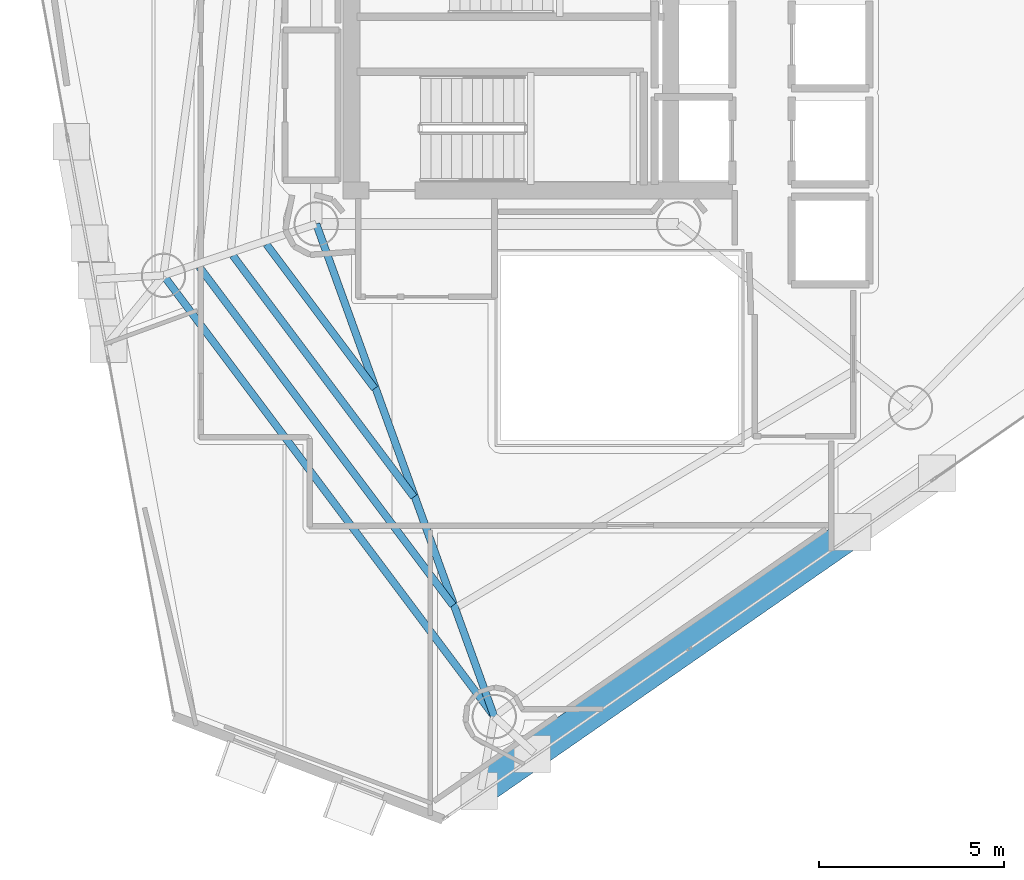
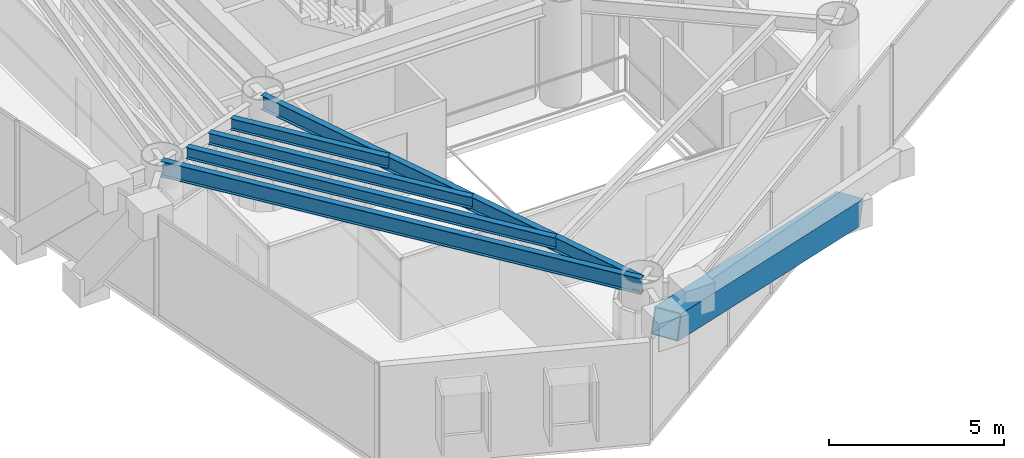
# One storey, part 5 of 23: 5 beams, 1 member.
"""IFC4 building model written with IfcOpenShell, lengths in metres."""

from ifc_helpers import new_model, si_unit, direction, frame, origin, origin_2d, place, context, subcontext, project, spatial, hollow_rectangle, i_section, extrude, material, material_profile, profile_set, type_object, element, save


model = new_model("IFC4")

# Units and contexts
model_context = context("Model", 3, precision=1e-05, world=origin(), true_north=direction((0.0, 1.0)))
body_context = subcontext(model_context, "Body", "Model", "MODEL_VIEW")
ifc_project = project(units=[si_unit("LENGTHUNIT", "METRE"), si_unit("AREAUNIT", "SQUARE_METRE"), si_unit("VOLUMEUNIT", "CUBIC_METRE"), si_unit("PLANEANGLEUNIT", "RADIAN"), si_unit("MASSUNIT", "GRAM", prefix="KILO")], contexts=[model_context])

# Site, building, storey
site_placement = place(None, origin())
site = spatial("IfcSite", under=ifc_project, at=site_placement, CompositionType="ELEMENT")
building_placement = place(site_placement, origin())
building = spatial("IfcBuilding", under=site, at=building_placement, Name="Qianvela Tower", CompositionType="ELEMENT")
storey_placement = place(building_placement, frame((0.0, 0.0, 192.89990234375)))
storey = spatial("IfcBuildingStorey", under=building, at=storey_placement, Name="L49", CompositionType="ELEMENT", Elevation=192.89990234375)

# Beams
ifc_material_1 = material(Name="Steel Q355B", Category="steel")
ifc_material_profile_1 = material_profile(ifc_material_1, i_section(OverallWidth=0.199951171875, OverallDepth=0.39990234375, WebThickness=0.008056640625, FlangeThickness=0.012939453125, at=origin_2d()), Name="HN400x200x8x13")
ifc_profile_set_1 = profile_set([ifc_material_profile_1], Name="Steel Q355B")
beam_type_1 = type_object("IfcBeamType", Name="BM-HN400-JOIST", PredefinedType="JOIST", material=ifc_profile_set_1)
beam_1_placement = place(storey_placement, frame((27.254150390625, 23.300537109375, 3.318115234375), z_axis=(0.599735620965, -0.800198216035, 0.0), x_axis=(0.800198216035, 0.599735620965, 0.0)))
element("IfcBeam", 1, at=beam_1_placement, inside=storey, type_object=beam_type_1, Name="L49 Secondary Composite Floor Joist 4.1", PredefinedType="JOIST", context=body_context, shape_type="SweptSolid", body=[
    extrude(i_section(OverallWidth=0.199951171875, OverallDepth=0.39990234375, WebThickness=0.008056640625, FlangeThickness=0.012939453125, at=origin_2d()), origin(), (0.0, 0.0, 1.0), 4.87646484375),
])
beam_2_placement = place(storey_placement, frame((26.345947265625, 22.994873046875, 3.318115234375), z_axis=(0.59975572356, -0.800183149071, 0.0), x_axis=(0.800183149071, 0.59975572356, 0.0)))
element("IfcBeam", 2, at=beam_2_placement, inside=storey, type_object=beam_type_1, Name="L49 Secondary Composite Floor Joist 4.2", PredefinedType="JOIST", context=body_context, shape_type="SweptSolid", body=[
    extrude(i_section(OverallWidth=0.199951171875, OverallDepth=0.39990234375, WebThickness=0.008056640625, FlangeThickness=0.012939453125, at=origin_2d()), origin(), (0.0, 0.0, 1.0), 8.156494140625),
])
beam_3_placement = place(storey_placement, frame((25.437744140625, 22.68896484375, 3.318115234375), z_axis=(0.599760871552, -0.800179290507, 0.0), x_axis=(0.800179290507, 0.599760871552, 0.0)))
element("IfcBeam", 3, at=beam_3_placement, inside=storey, type_object=beam_type_1, Name="L49 Secondary Composite Floor Joist 4.3", PredefinedType="JOIST", context=body_context, shape_type="SweptSolid", body=[
    extrude(i_section(OverallWidth=0.199951171875, OverallDepth=0.39990234375, WebThickness=0.008056640625, FlangeThickness=0.012939453125, at=origin_2d()), origin(), (0.0, 0.0, 1.0), 11.43603515625),
])
ifc_material_2 = material(Name="Steel Q355B", Category="steel")
ifc_material_profile_2 = material_profile(ifc_material_2, i_section(OverallWidth=0.199951171875, OverallDepth=0.5, WebThickness=0.010009765625, FlangeThickness=0.01611328125, at=origin_2d()), Name="HN500x200x10x16")
ifc_profile_set_2 = profile_set([ifc_material_profile_2], Name="Steel Q355B")
beam_type_2 = type_object("IfcBeamType", Name="BM-HN500-GIRD", PredefinedType="BEAM", material=ifc_profile_set_2)
beam_4_placement = place(storey_placement, frame((28.60009765625, 23.85009765625, 3.26806640625), z_axis=(0.339851607149, -0.940479072132, 0.0), x_axis=(0.940479072132, 0.339851607149, 0.0)))
element("IfcBeam", 4, at=beam_4_placement, inside=storey, type_object=beam_type_2, Name="L49 Radial Primary Floor Girder 5", PredefinedType="BEAM", context=body_context, shape_type="SweptSolid", body=[
    extrude(i_section(OverallWidth=0.199951171875, OverallDepth=0.5, WebThickness=0.010009765625, FlangeThickness=0.01611328125, at=origin_2d()), origin(), (0.0, 0.0, 1.0), 14.162109375),
])
ifc_material_3 = material(Name="Steel Q355B", Category="steel")
ifc_material_profile_3 = material_profile(ifc_material_3, i_section(OverallWidth=0.199951171875, OverallDepth=0.550048828125, WebThickness=0.010009765625, FlangeThickness=0.01611328125, at=origin_2d()), Name="HN550x200x10x16")
ifc_profile_set_3 = profile_set([ifc_material_profile_3], Name="Steel Q355B")
beam_type_3 = type_object("IfcBeamType", Name="BM-HN550-GIRD", PredefinedType="BEAM", material=ifc_profile_set_3)
beam_5_placement = place(storey_placement, frame((24.471923828125, 22.4599609375, 3.2431640625), z_axis=(0.599761529533, -0.800178797327, 0.0), x_axis=(0.800178797327, 0.599761529533, 0.0)))
element("IfcBeam", 5, at=beam_5_placement, inside=storey, type_object=beam_type_3, Name="L49 Perimeter Ring Spandrel Girder 4", PredefinedType="BEAM", context=body_context, shape_type="SweptSolid", body=[
    extrude(i_section(OverallWidth=0.199951171875, OverallDepth=0.550048828125, WebThickness=0.010009765625, FlangeThickness=0.01611328125, at=origin_2d()), origin(), (0.0, 0.0, 1.0), 14.907958984375),
])

# Member
ifc_material_4 = material(Name="Steel Q420GJC", Category="steel")
ifc_material_profile_4 = material_profile(ifc_material_4, hollow_rectangle(XDim=0.85009765625, YDim=0.85009765625, WallThickness=0.031982421875, at=origin_2d()), Name="MBOX-850x850x32")
ifc_profile_set_4 = profile_set([ifc_material_profile_4], Name="Steel Q420GJC")
member_type = type_object("IfcMemberType", Name="MBR-MBRACE-850", PredefinedType="BRACE", material=ifc_profile_set_4)
member_placement = place(storey_placement, frame((43.049072265625, 15.48876953125, -0.48193359375), z_axis=(-0.786081503301, -0.545387113179, 0.29091023864), x_axis=(0.570041195106, -0.821616112234, 0.0)))
element("IfcMember", 6, at=member_placement, inside=storey, type_object=member_type, Name="L49 Tier 8 Exterior Mega-Brace F3A", PredefinedType="BRACE", context=body_context, shape_type="SweptSolid", body=[
    extrude(hollow_rectangle(XDim=0.85009765625, YDim=0.85009765625, WallThickness=0.031982421875, at=origin_2d()), origin(), (0.0, 0.0, 1.0), 12.718505859375),
])

save(model, "model.ifc")
